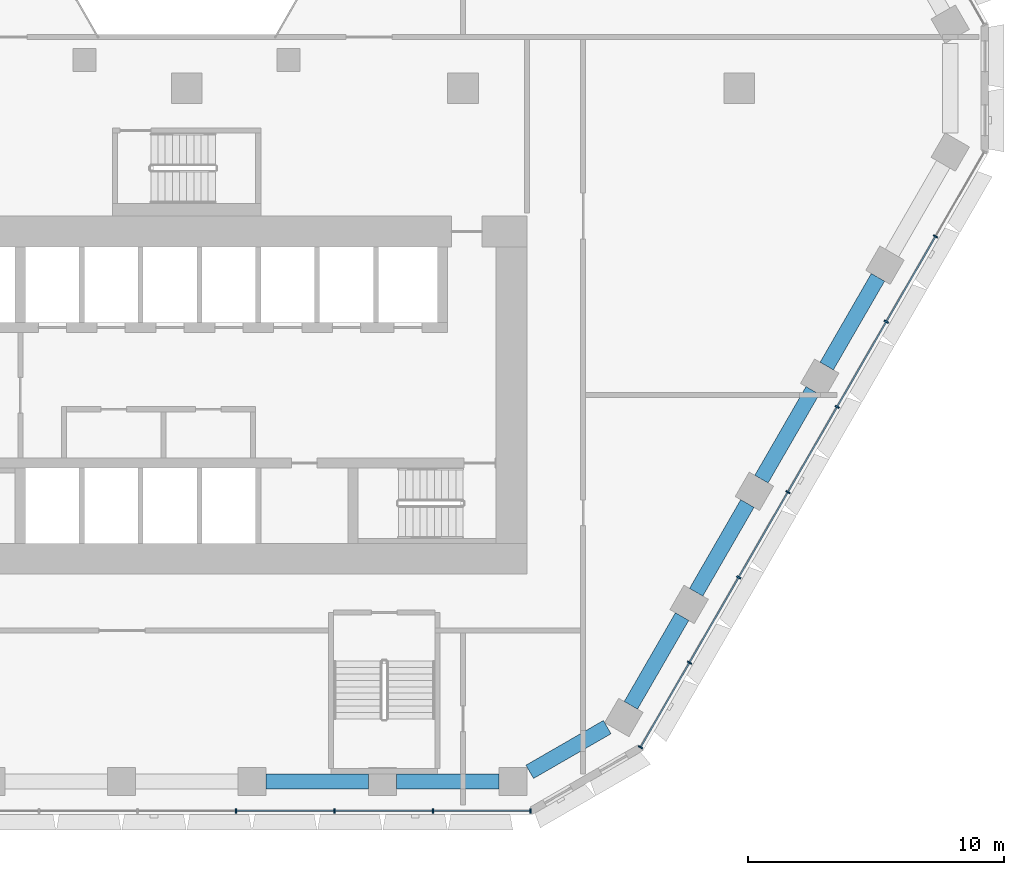
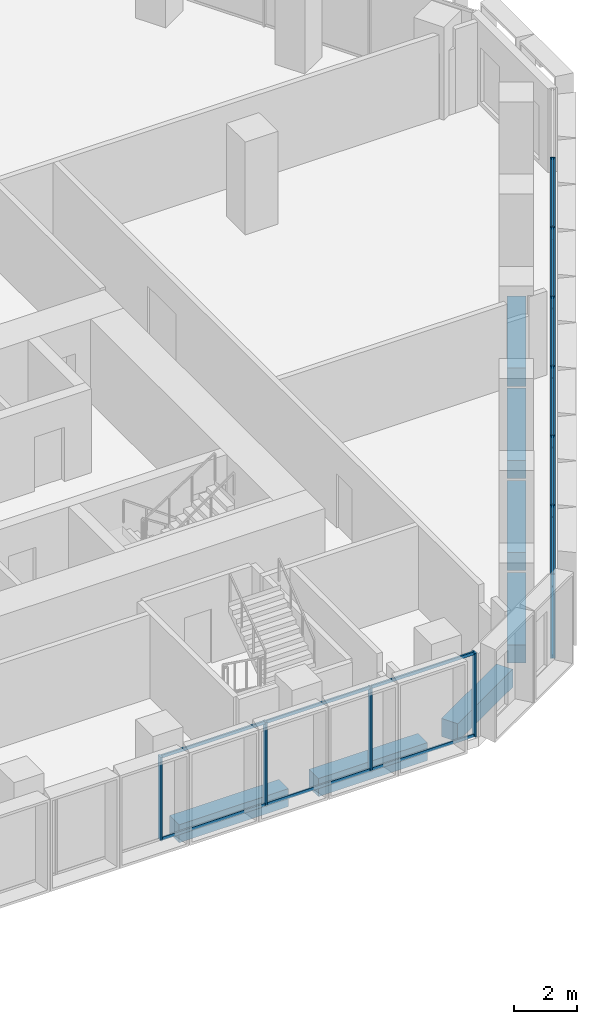
# One storey, part 4 of 25: 29 members, 7 beams, 2 elements without a shape of their own.
"""IFC4 building model written with IfcOpenShell, lengths in metres."""

from ifc_helpers import new_model, si_unit, direction, frame, origin, origin_2d, place, context, subcontext, project, spatial, rectangle, hollow_rectangle, extrude, material, material_profile, profile_set, type_object, element, aggregate, save


model = new_model("IFC4")

# Units and contexts
model_context = context("Model", 3, precision=1e-05, world=origin(), true_north=direction((0.0, 1.0)))
body_context = subcontext(model_context, "Body", "Model", "MODEL_VIEW")
ifc_project = project(units=[si_unit("LENGTHUNIT", "METRE"), si_unit("AREAUNIT", "SQUARE_METRE"), si_unit("VOLUMEUNIT", "CUBIC_METRE"), si_unit("PLANEANGLEUNIT", "RADIAN"), si_unit("MASSUNIT", "GRAM", prefix="KILO")], contexts=[model_context])

# Site, building, storey
site_placement = place(None, origin())
site = spatial("IfcSite", under=ifc_project, at=site_placement, CompositionType="ELEMENT")
building_placement = place(site_placement, origin())
building = spatial("IfcBuilding", under=site, at=building_placement, Name="Beryl Residences", CompositionType="ELEMENT")
storey_placement = place(building_placement, frame((0.0, 0.0, 16.199951171875)))
storey = spatial("IfcBuildingStorey", under=building, at=storey_placement, Name="L04", CompositionType="ELEMENT", Elevation=16.199951171875)

# Curtain wall, members
ifc_material_1 = material(Name="Aluminium and clear glass", Category="aluminium")
curtain_wall_type = type_object("IfcCurtainWallType", Name="CW2 amenity glazing glazed wall", PredefinedType="NOTDEFINED", material=ifc_material_1)
curtain_wall_1_placement = place(storey_placement, origin())
curtain_wall_1 = element("IfcCurtainWall", 1, at=curtain_wall_1_placement, inside=storey, type_object=curtain_wall_type, Name="CW2 L04 S", PredefinedType="NOTDEFINED")
ifc_material_2 = material(Name="Aluminium", Category="aluminium")
ifc_material_profile_1 = material_profile(ifc_material_2, rectangle(XDim=0.06005859375, YDim=0.179931640625, at=origin_2d()))
ifc_profile_set_1 = profile_set([ifc_material_profile_1], Name="Aluminium")
member_type_1 = type_object("IfcMemberType", Name="CW2-M mullion 60 x 180 mm", PredefinedType="MULLION", material=ifc_profile_set_1)
member_1_placement = place(storey_placement, frame((1.92431640625, -28.25, 0.0), z_axis=(0.0, 0.0, 1.0), x_axis=(1.0, 0.0, 0.0)))
member_1 = element("IfcMember", 2, at=member_1_placement, type_object=member_type_1, Name="CW2 mullion 5", PredefinedType="MULLION", context=body_context, shape_type="SweptSolid", body=[
    extrude(rectangle(XDim=0.06005859375, YDim=0.179931640625, at=origin_2d()), origin(), (0.0, 0.0, 1.0), 3.25),
])
member_2_placement = place(storey_placement, frame((5.77294921875, -28.25, 0.0), z_axis=(0.0, 0.0, 1.0), x_axis=(1.0, 0.0, 0.0)))
member_2 = element("IfcMember", 3, at=member_2_placement, type_object=member_type_1, Name="CW2 mullion 6", PredefinedType="MULLION", context=body_context, shape_type="SweptSolid", body=[
    extrude(rectangle(XDim=0.06005859375, YDim=0.179931640625, at=origin_2d()), origin(), (0.0, 0.0, 1.0), 3.25),
])
member_3_placement = place(storey_placement, frame((9.621337890625, -28.25, 0.0), z_axis=(0.0, 0.0, 1.0), x_axis=(1.0, 0.0, 0.0)))
member_3 = element("IfcMember", 4, at=member_3_placement, type_object=member_type_1, Name="CW2 mullion 7", PredefinedType="MULLION", context=body_context, shape_type="SweptSolid", body=[
    extrude(rectangle(XDim=0.06005859375, YDim=0.179931640625, at=origin_2d()), origin(), (0.0, 0.0, 1.0), 3.25),
])
member_4_placement = place(storey_placement, frame((13.43994140625, -28.25, 0.0), z_axis=(0.0, 0.0, 1.0), x_axis=(1.0, 0.0, 0.0)))
member_4 = element("IfcMember", 5, at=member_4_placement, type_object=member_type_1, Name="CW2 mullion 8", PredefinedType="MULLION", context=body_context, shape_type="SweptSolid", body=[
    extrude(rectangle(XDim=0.06005859375, YDim=0.179931640625, at=origin_2d()), origin(), (0.0, 0.0, 1.0), 3.25),
])

curtain_wall_2_placement = place(storey_placement, origin())
curtain_wall_2 = element("IfcCurtainWall", 6, at=curtain_wall_2_placement, inside=storey, type_object=curtain_wall_type, Name="CW2 L04 SE", PredefinedType="NOTDEFINED")
member_5_placement = place(storey_placement, frame((17.7451171875, -25.763916015625, 0.0), z_axis=(0.0, 0.0, 1.0), x_axis=(0.500011643322, 0.866018681405, 0.0)))
member_5 = element("IfcMember", 7, at=member_5_placement, type_object=member_type_1, Name="CW2 mullion 1", PredefinedType="MULLION", context=body_context, shape_type="SweptSolid", body=[
    extrude(rectangle(XDim=0.06005859375, YDim=0.179931640625, at=origin_2d()), origin(), (0.0, 0.0, 1.0), 3.25),
])
member_6_placement = place(storey_placement, frame((19.654296875, -22.45703125, 0.0), z_axis=(0.0, 0.0, 1.0), x_axis=(0.500011643322, 0.866018681405, 0.0)))
member_6 = element("IfcMember", 8, at=member_6_placement, type_object=member_type_1, Name="CW2 mullion 2", PredefinedType="MULLION", context=body_context, shape_type="SweptSolid", body=[
    extrude(rectangle(XDim=0.06005859375, YDim=0.179931640625, at=origin_2d()), origin(), (0.0, 0.0, 1.0), 3.25),
])
member_7_placement = place(storey_placement, frame((21.57861328125, -19.124267578125, 0.0), z_axis=(0.0, 0.0, 1.0), x_axis=(0.500011643322, 0.866018681405, 0.0)))
member_7 = element("IfcMember", 9, at=member_7_placement, type_object=member_type_1, Name="CW2 mullion 3", PredefinedType="MULLION", context=body_context, shape_type="SweptSolid", body=[
    extrude(rectangle(XDim=0.06005859375, YDim=0.179931640625, at=origin_2d()), origin(), (0.0, 0.0, 1.0), 3.25),
])
member_8_placement = place(storey_placement, frame((23.5029296875, -15.79150390625, 0.0), z_axis=(0.0, 0.0, 1.0), x_axis=(0.500011643322, 0.866018681405, 0.0)))
member_8 = element("IfcMember", 10, at=member_8_placement, type_object=member_type_1, Name="CW2 mullion 4", PredefinedType="MULLION", context=body_context, shape_type="SweptSolid", body=[
    extrude(rectangle(XDim=0.06005859375, YDim=0.179931640625, at=origin_2d()), origin(), (0.0, 0.0, 1.0), 3.25),
])
member_9_placement = place(storey_placement, frame((25.42724609375, -12.45849609375, 0.0), z_axis=(0.0, 0.0, 1.0), x_axis=(0.500011643322, 0.866018681405, 0.0)))
member_9 = element("IfcMember", 11, at=member_9_placement, type_object=member_type_1, Name="CW2 mullion 5", PredefinedType="MULLION", context=body_context, shape_type="SweptSolid", body=[
    extrude(rectangle(XDim=0.06005859375, YDim=0.179931640625, at=origin_2d()), origin(), (0.0, 0.0, 1.0), 3.25),
])
member_10_placement = place(storey_placement, frame((27.351318359375, -9.125732421875, 0.0), z_axis=(0.0, 0.0, 1.0), x_axis=(0.500011643322, 0.866018681405, 0.0)))
member_10 = element("IfcMember", 12, at=member_10_placement, type_object=member_type_1, Name="CW2 mullion 6", PredefinedType="MULLION", context=body_context, shape_type="SweptSolid", body=[
    extrude(rectangle(XDim=0.06005859375, YDim=0.179931640625, at=origin_2d()), origin(), (0.0, 0.0, 1.0), 3.25),
])
member_11_placement = place(storey_placement, frame((29.275634765625, -5.79296875, 0.0), z_axis=(0.0, 0.0, 1.0), x_axis=(0.500011643322, 0.866018681405, 0.0)))
member_11 = element("IfcMember", 13, at=member_11_placement, type_object=member_type_1, Name="CW2 mullion 7", PredefinedType="MULLION", context=body_context, shape_type="SweptSolid", body=[
    extrude(rectangle(XDim=0.06005859375, YDim=0.179931640625, at=origin_2d()), origin(), (0.0, 0.0, 1.0), 3.25),
])

# Member
ifc_material_3 = material(Name="Aluminium", Category="aluminium")
ifc_material_profile_2 = material_profile(ifc_material_3, hollow_rectangle(XDim=0.06005859375, YDim=0.1201171875, WallThickness=0.00390625, at=origin_2d()))
ifc_profile_set_2 = profile_set([ifc_material_profile_2], Name="Aluminium")
member_type_2 = type_object("IfcMemberType", Name="CW2-T transom 60 x 120 mm", PredefinedType="USERDEFINED", material=ifc_profile_set_2)
member_12_placement = place(storey_placement, frame((1.954345703125, -28.25, 0.030029296875), z_axis=(1.0, 0.0, 0.0), x_axis=(0.0, 1.0, 0.0)))
member_12 = element("IfcMember", 14, at=member_12_placement, type_object=member_type_2, Name="CW2 transom 5.1", ObjectType="TRANSOM", PredefinedType="USERDEFINED", context=body_context, shape_type="SweptSolid", body=[
    extrude(hollow_rectangle(XDim=0.06005859375, YDim=0.1201171875, WallThickness=0.00390625, at=origin_2d()), origin(), (0.0, 0.0, 1.0), 3.78857421875),
])

member_13_placement = place(storey_placement, frame((1.954345703125, -28.25, 3.219970703125), z_axis=(1.0, 0.0, 0.0), x_axis=(0.0, 1.0, 0.0)))
member_13 = element("IfcMember", 15, at=member_13_placement, type_object=member_type_2, Name="CW2 transom 5.2", ObjectType="TRANSOM", PredefinedType="USERDEFINED", context=body_context, shape_type="SweptSolid", body=[
    extrude(hollow_rectangle(XDim=0.06005859375, YDim=0.1201171875, WallThickness=0.00390625, at=origin_2d()), origin(), (0.0, 0.0, 1.0), 3.78857421875),
])

member_14_placement = place(storey_placement, frame((5.802978515625, -28.25, 0.030029296875), z_axis=(1.0, 0.0, 0.0), x_axis=(0.0, 1.0, 0.0)))
member_14 = element("IfcMember", 16, at=member_14_placement, type_object=member_type_2, Name="CW2 transom 6.1", ObjectType="TRANSOM", PredefinedType="USERDEFINED", context=body_context, shape_type="SweptSolid", body=[
    extrude(hollow_rectangle(XDim=0.06005859375, YDim=0.1201171875, WallThickness=0.00390625, at=origin_2d()), origin(), (0.0, 0.0, 1.0), 3.788330078125),
])

member_15_placement = place(storey_placement, frame((5.802978515625, -28.25, 3.219970703125), z_axis=(1.0, 0.0, 0.0), x_axis=(0.0, 1.0, 0.0)))
member_15 = element("IfcMember", 17, at=member_15_placement, type_object=member_type_2, Name="CW2 transom 6.2", ObjectType="TRANSOM", PredefinedType="USERDEFINED", context=body_context, shape_type="SweptSolid", body=[
    extrude(hollow_rectangle(XDim=0.06005859375, YDim=0.1201171875, WallThickness=0.00390625, at=origin_2d()), origin(), (0.0, 0.0, 1.0), 3.788330078125),
])

member_16_placement = place(storey_placement, frame((9.6513671875, -28.25, 0.030029296875), z_axis=(1.0, 0.0, 0.0), x_axis=(0.0, 1.0, 0.0)))
member_16 = element("IfcMember", 18, at=member_16_placement, type_object=member_type_2, Name="CW2 transom 7.1", ObjectType="TRANSOM", PredefinedType="USERDEFINED", context=body_context, shape_type="SweptSolid", body=[
    extrude(hollow_rectangle(XDim=0.06005859375, YDim=0.1201171875, WallThickness=0.00390625, at=origin_2d()), origin(), (0.0, 0.0, 1.0), 3.758544921875),
])

member_17_placement = place(storey_placement, frame((9.6513671875, -28.25, 3.219970703125), z_axis=(1.0, 0.0, 0.0), x_axis=(0.0, 1.0, 0.0)))
member_17 = element("IfcMember", 19, at=member_17_placement, type_object=member_type_2, Name="CW2 transom 7.2", ObjectType="TRANSOM", PredefinedType="USERDEFINED", context=body_context, shape_type="SweptSolid", body=[
    extrude(hollow_rectangle(XDim=0.06005859375, YDim=0.1201171875, WallThickness=0.00390625, at=origin_2d()), origin(), (0.0, 0.0, 1.0), 3.758544921875),
])

aggregate(curtain_wall_1, [member_1, member_2, member_3, member_4, member_12, member_13, member_14, member_15, member_16, member_17])

member_18_placement = place(storey_placement, frame((17.760009765625, -25.738037109375, 0.030029296875), z_axis=(0.500037327496, 0.866003851672, 0.0), x_axis=(-0.866003851672, 0.500037327496, 0.0)))
member_18 = element("IfcMember", 20, at=member_18_placement, type_object=member_type_2, Name="CW2 transom 1.1", ObjectType="TRANSOM", PredefinedType="USERDEFINED", context=body_context, shape_type="SweptSolid", body=[
    extrude(hollow_rectangle(XDim=0.06005859375, YDim=0.1201171875, WallThickness=0.00390625, at=origin_2d()), origin(), (0.0, 0.0, 1.0), 3.758544921875),
])

member_19_placement = place(storey_placement, frame((17.760009765625, -25.738037109375, 3.219970703125), z_axis=(0.500037327496, 0.866003851672, 0.0), x_axis=(-0.866003851672, 0.500037327496, 0.0)))
member_19 = element("IfcMember", 21, at=member_19_placement, type_object=member_type_2, Name="CW2 transom 1.2", ObjectType="TRANSOM", PredefinedType="USERDEFINED", context=body_context, shape_type="SweptSolid", body=[
    extrude(hollow_rectangle(XDim=0.06005859375, YDim=0.1201171875, WallThickness=0.00390625, at=origin_2d()), origin(), (0.0, 0.0, 1.0), 3.758544921875),
])

member_20_placement = place(storey_placement, frame((19.669189453125, -22.43115234375, 0.030029296875), z_axis=(0.499999503755, 0.866025690291, 0.0), x_axis=(-0.866025690291, 0.499999503755, 0.0)))
member_20 = element("IfcMember", 22, at=member_20_placement, type_object=member_type_2, Name="CW2 transom 2.1", ObjectType="TRANSOM", PredefinedType="USERDEFINED", context=body_context, shape_type="SweptSolid", body=[
    extrude(hollow_rectangle(XDim=0.06005859375, YDim=0.1201171875, WallThickness=0.00390625, at=origin_2d()), origin(), (0.0, 0.0, 1.0), 3.78857421875),
])

member_21_placement = place(storey_placement, frame((19.669189453125, -22.43115234375, 3.219970703125), z_axis=(0.499999503755, 0.866025690291, 0.0), x_axis=(-0.866025690291, 0.499999503755, 0.0)))
member_21 = element("IfcMember", 23, at=member_21_placement, type_object=member_type_2, Name="CW2 transom 2.2", ObjectType="TRANSOM", PredefinedType="USERDEFINED", context=body_context, shape_type="SweptSolid", body=[
    extrude(hollow_rectangle(XDim=0.06005859375, YDim=0.1201171875, WallThickness=0.00390625, at=origin_2d()), origin(), (0.0, 0.0, 1.0), 3.78857421875),
])

member_22_placement = place(storey_placement, frame((21.593505859375, -19.098388671875, 0.030029296875), z_axis=(0.499999503755, 0.866025690291, 0.0), x_axis=(-0.866025690291, 0.499999503755, 0.0)))
member_22 = element("IfcMember", 24, at=member_22_placement, type_object=member_type_2, Name="CW2 transom 3.1", ObjectType="TRANSOM", PredefinedType="USERDEFINED", context=body_context, shape_type="SweptSolid", body=[
    extrude(hollow_rectangle(XDim=0.06005859375, YDim=0.1201171875, WallThickness=0.00390625, at=origin_2d()), origin(), (0.0, 0.0, 1.0), 3.78857421875),
])

member_23_placement = place(storey_placement, frame((21.593505859375, -19.098388671875, 3.219970703125), z_axis=(0.499999503755, 0.866025690291, 0.0), x_axis=(-0.866025690291, 0.499999503755, 0.0)))
member_23 = element("IfcMember", 25, at=member_23_placement, type_object=member_type_2, Name="CW2 transom 3.2", ObjectType="TRANSOM", PredefinedType="USERDEFINED", context=body_context, shape_type="SweptSolid", body=[
    extrude(hollow_rectangle(XDim=0.06005859375, YDim=0.1201171875, WallThickness=0.00390625, at=origin_2d()), origin(), (0.0, 0.0, 1.0), 3.78857421875),
])

member_24_placement = place(storey_placement, frame((23.517822265625, -15.765380859375, 0.030029296875), z_axis=(0.500027408906, 0.866009578667, 0.0), x_axis=(-0.866009578667, 0.500027408906, 0.0)))
member_24 = element("IfcMember", 26, at=member_24_placement, type_object=member_type_2, Name="CW2 transom 4.1", ObjectType="TRANSOM", PredefinedType="USERDEFINED", context=body_context, shape_type="SweptSolid", body=[
    extrude(hollow_rectangle(XDim=0.06005859375, YDim=0.1201171875, WallThickness=0.00390625, at=origin_2d()), origin(), (0.0, 0.0, 1.0), 3.788330078125),
])

member_25_placement = place(storey_placement, frame((23.517822265625, -15.765380859375, 3.219970703125), z_axis=(0.500027408906, 0.866009578667, 0.0), x_axis=(-0.866009578667, 0.500027408906, 0.0)))
member_25 = element("IfcMember", 27, at=member_25_placement, type_object=member_type_2, Name="CW2 transom 4.2", ObjectType="TRANSOM", PredefinedType="USERDEFINED", context=body_context, shape_type="SweptSolid", body=[
    extrude(hollow_rectangle(XDim=0.06005859375, YDim=0.1201171875, WallThickness=0.00390625, at=origin_2d()), origin(), (0.0, 0.0, 1.0), 3.788330078125),
])

member_26_placement = place(storey_placement, frame((25.442138671875, -12.4326171875, 0.030029296875), z_axis=(0.499999503755, 0.866025690291, 0.0), x_axis=(-0.866025690291, 0.499999503755, 0.0)))
member_26 = element("IfcMember", 28, at=member_26_placement, type_object=member_type_2, Name="CW2 transom 5.1", ObjectType="TRANSOM", PredefinedType="USERDEFINED", context=body_context, shape_type="SweptSolid", body=[
    extrude(hollow_rectangle(XDim=0.06005859375, YDim=0.1201171875, WallThickness=0.00390625, at=origin_2d()), origin(), (0.0, 0.0, 1.0), 3.78857421875),
])

member_27_placement = place(storey_placement, frame((25.442138671875, -12.4326171875, 3.219970703125), z_axis=(0.499999503755, 0.866025690291, 0.0), x_axis=(-0.866025690291, 0.499999503755, 0.0)))
member_27 = element("IfcMember", 29, at=member_27_placement, type_object=member_type_2, Name="CW2 transom 5.2", ObjectType="TRANSOM", PredefinedType="USERDEFINED", context=body_context, shape_type="SweptSolid", body=[
    extrude(hollow_rectangle(XDim=0.06005859375, YDim=0.1201171875, WallThickness=0.00390625, at=origin_2d()), origin(), (0.0, 0.0, 1.0), 3.78857421875),
])

member_28_placement = place(storey_placement, frame((27.366455078125, -9.099853515625, 0.030029296875), z_axis=(0.499999503755, 0.866025690291, 0.0), x_axis=(-0.866025690291, 0.499999503755, 0.0)))
member_28 = element("IfcMember", 30, at=member_28_placement, type_object=member_type_2, Name="CW2 transom 6.1", ObjectType="TRANSOM", PredefinedType="USERDEFINED", context=body_context, shape_type="SweptSolid", body=[
    extrude(hollow_rectangle(XDim=0.06005859375, YDim=0.1201171875, WallThickness=0.00390625, at=origin_2d()), origin(), (0.0, 0.0, 1.0), 3.78857421875),
])

member_29_placement = place(storey_placement, frame((27.366455078125, -9.099853515625, 3.219970703125), z_axis=(0.499999503755, 0.866025690291, 0.0), x_axis=(-0.866025690291, 0.499999503755, 0.0)))
member_29 = element("IfcMember", 31, at=member_29_placement, type_object=member_type_2, Name="CW2 transom 6.2", ObjectType="TRANSOM", PredefinedType="USERDEFINED", context=body_context, shape_type="SweptSolid", body=[
    extrude(hollow_rectangle(XDim=0.06005859375, YDim=0.1201171875, WallThickness=0.00390625, at=origin_2d()), origin(), (0.0, 0.0, 1.0), 3.78857421875),
])

aggregate(curtain_wall_2, [member_5, member_6, member_7, member_8, member_9, member_10, member_11, member_18, member_19, member_20, member_21, member_22, member_23, member_24, member_25, member_26, member_27, member_28, member_29])

# Beams
ifc_material_4 = material(Name="Concrete C80/95", Category="concrete")
ifc_material_profile_3 = material_profile(ifc_material_4, rectangle(XDim=0.60009765625, YDim=0.699951171875, at=origin_2d()))
ifc_profile_set_3 = profile_set([ifc_material_profile_3], Name="Concrete C80/95")
beam_type = type_object("IfcBeamType", Name="SB1 spandrel beam 600 x 700 C80/95", PredefinedType="SPANDREL", material=ifc_profile_set_3)
for number, where, z_axis, x_axis, name in (
    (32, (3.10302734375, -27.10009765625, -0.699951171875), (1.0, 0.0, 0.0), (0.0, 1.0, 0.0), "SB1 L04 S-3"),
    (33, (8.20703125, -27.10009765625, -0.699951171875), (1.0, 0.0, 0.0), (0.0, 1.0, 0.0), "SB1 L04 S-4"),
):
    element("IfcBeam", number, at=place(storey_placement, frame(where, z_axis=z_axis, x_axis=x_axis)), inside=storey, type_object=beam_type, Name=name, PredefinedType="SPANDREL", context=body_context, shape_type="SweptSolid", body=[
        extrude(rectangle(XDim=0.60009765625, YDim=0.699951171875, at=origin_2d()), origin(), (0.0, 0.0, 1.0), 4.00390625),
    ])
beam_1_placement = place(storey_placement, frame((13.410888671875, -26.72412109375, -0.699951171875), z_axis=(0.866121658299, 0.499833245218, 0.0), x_axis=(-0.499833245218, 0.866121658299, 0.0)))
element("IfcBeam", 34, at=beam_1_placement, inside=storey, type_object=beam_type, Name="SB1 L04 S-5", PredefinedType="SPANDREL", context=body_context, shape_type="SweptSolid", body=[
    extrude(rectangle(XDim=0.60009765625, YDim=0.699951171875, at=origin_2d()), origin(), (0.0, 0.0, 1.0), 3.497314453125),
])
beam_2_placement = place(storey_placement, frame((17.364990234375, -24.1240234375, -0.699951171875), z_axis=(0.499942357345, 0.866058681229, 0.0), x_axis=(-0.866058681229, 0.499942357345, 0.0)))
element("IfcBeam", 35, at=beam_2_placement, inside=storey, type_object=beam_type, Name="SB1 L04 SE-0", PredefinedType="SPANDREL", context=body_context, shape_type="SweptSolid", body=[
    extrude(rectangle(XDim=0.60009765625, YDim=0.699951171875, at=origin_2d()), origin(), (0.0, 0.0, 1.0), 4.00439453125),
])
beam_3_placement = place(storey_placement, frame((19.9169921875, -19.7041015625, -0.699951171875), z_axis=(0.499836783367, 0.866119616446, 0.0), x_axis=(-0.866119616446, 0.499836783367, 0.0)))
element("IfcBeam", 36, at=beam_3_placement, inside=storey, type_object=beam_type, Name="SB1 L04 SE-1", PredefinedType="SPANDREL", context=body_context, shape_type="SweptSolid", body=[
    extrude(rectangle(XDim=0.60009765625, YDim=0.699951171875, at=origin_2d()), origin(), (0.0, 0.0, 1.0), 4.005126953125),
])
for number, where, z_axis, x_axis, name in (
    (37, (22.468994140625, -15.282958984375, -0.699951171875), (0.499942357345, 0.866058681229, 0.0), (-0.866058681229, 0.499942357345, 0.0), "SB1 L04 SE-2"),
    (38, (25.02099609375, -10.863037109375, -0.699951171875), (0.499942357345, 0.866058681229, 0.0), (-0.866058681229, 0.499942357345, 0.0), "SB1 L04 SE-3"),
):
    element("IfcBeam", number, at=place(storey_placement, frame(where, z_axis=z_axis, x_axis=x_axis)), inside=storey, type_object=beam_type, Name=name, PredefinedType="SPANDREL", context=body_context, shape_type="SweptSolid", body=[
        extrude(rectangle(XDim=0.60009765625, YDim=0.699951171875, at=origin_2d()), origin(), (0.0, 0.0, 1.0), 4.00439453125),
    ])

save(model, "model.ifc")
